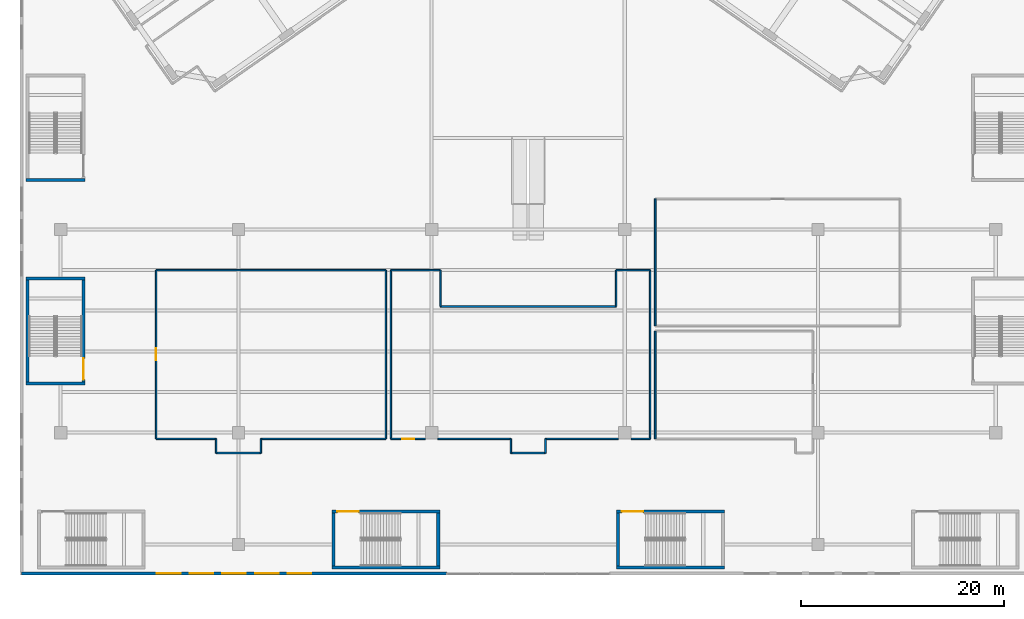
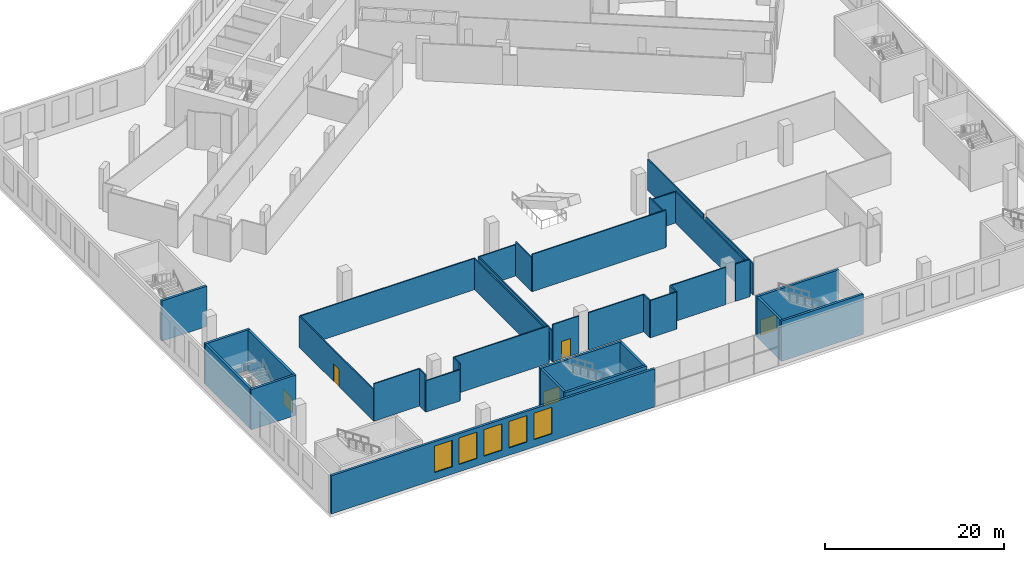
# One storey, part 5 of 26: 37 walls, 5 doors, 5 windows, 10 openings.
"""IFC4 building model written with IfcOpenShell, lengths in metres."""

import ifcopenshell
import ifcopenshell.guid

model = None  # the IFC model being written
_history = None  # IfcOwnerHistory: only IFC2X3 demands one
_inside = {}  # id of a spatial element -> (the spatial element, [elements in it])
_under = {}  # id of a project, library or spatial element -> (it, [spatial elements below it])
_declared = {}  # id of a project -> (the project, [libraries it declares])
_typed = {}  # id of a type object -> (the type object, [elements of that type])
_made_of = {}  # id of a material, layer set ... -> (it, [elements and type objects made of it])


def new_model(schema):
    """Start an empty IFC model of exactly this schema.

    Asked for "IFC4X3", IfcOpenShell would pick the latest addendum, in which some entities
    have other attributes; the version numbers below select the first issue.
    IFC2X3 requires an IfcOwnerHistory on every rooted entity: one is made here for all.
    """
    global model, _history
    if schema == "IFC4X3":
        model = ifcopenshell.file(schema_version=(4, 3, 0, 0))
    else:
        model = ifcopenshell.file(schema=schema)
    _inside.clear()
    _under.clear()
    _declared.clear()
    _typed.clear()
    _made_of.clear()
    _history = None
    if model.schema == "IFC2X3":
        org = make("IfcOrganization", Name="unknown")
        user = make(
            "IfcPersonAndOrganization",
            ThePerson=make("IfcPerson", FamilyName="unknown"),
            TheOrganization=org,
        )
        app = make(
            "IfcApplication",
            ApplicationDeveloper=org,
            Version="unknown",
            ApplicationFullName="unknown",
            ApplicationIdentifier="unknown",
        )
        _history = make(
            "IfcOwnerHistory",
            OwningUser=user,
            OwningApplication=app,
            ChangeAction="ADDED",
            CreationDate=0,
        )
    return model


def make(cls, **values):
    """One entity of the class cls with the attributes given. An attribute that is None is left unset."""
    return model.create_entity(
        cls, **{name: value for name, value in values.items() if value is not None}
    )


def rooted(cls, **values):
    """An entity with a GlobalId (a new one), such as an element, a storey or a relation."""
    return make(cls, GlobalId=ifcopenshell.guid.new(), OwnerHistory=_history, **values)


def si_unit(unit_type, name, prefix=None):
    """IfcSIUnit, for example si_unit("LENGTHUNIT", "METRE", prefix="MILLI")."""
    return make("IfcSIUnit", UnitType=unit_type, Prefix=prefix, Name=name)


def assignment(units):
    """IfcUnitAssignment: the units of a project."""
    return None if units is None else make("IfcUnitAssignment", Units=units)


def point(xyz):
    """IfcCartesianPoint."""
    return None if xyz is None else make("IfcCartesianPoint", Coordinates=xyz)


def direction(xyz):
    """IfcDirection."""
    return None if xyz is None else make("IfcDirection", DirectionRatios=xyz)


def frame(location, z_axis=None, x_axis=None):
    """IfcAxis2Placement3D, a coordinate frame: its origin and axes. An axis left out is left unset."""
    return make(
        "IfcAxis2Placement3D",
        Location=point(location),
        Axis=direction(z_axis),
        RefDirection=direction(x_axis),
    )


def frame_2d(location, x_axis=None):
    """IfcAxis2Placement2D, a coordinate frame in the plane: its origin and x axis."""
    return make(
        "IfcAxis2Placement2D", Location=point(location), RefDirection=direction(x_axis)
    )


def origin():
    """The frame at (0, 0, 0) with its axes left unset."""
    return frame((0.0, 0.0, 0.0))


def place(relative_to, where):
    """IfcLocalPlacement: puts the frame where relative to a parent placement (None: the world)."""
    return make(
        "IfcLocalPlacement", PlacementRelTo=relative_to, RelativePlacement=where
    )


def context(
    kind, dimensions, precision=None, world=None, true_north=None, identifier=None
):
    """IfcGeometricRepresentationContext, for example the 3D "Model" context."""
    return make(
        "IfcGeometricRepresentationContext",
        ContextIdentifier=identifier,
        ContextType=kind,
        CoordinateSpaceDimension=dimensions,
        Precision=precision,
        WorldCoordinateSystem=world,
        TrueNorth=true_north,
    )


def subcontext(parent, identifier, kind, view, scale=None):
    """IfcGeometricRepresentationSubContext, for example "Body" below "Model"."""
    return make(
        "IfcGeometricRepresentationSubContext",
        ContextIdentifier=identifier,
        ContextType=kind,
        ParentContext=parent,
        TargetScale=scale,
        TargetView=view,
    )


def project(units=None, contexts=None):
    """IfcProject with its units and contexts."""
    return rooted(
        "IfcProject",
        Name="project",
        RepresentationContexts=contexts,
        UnitsInContext=assignment(units),
    )


def spatial(cls, under=None, at=None, **own):
    """A site, building, storey or space (cls), placed at a placement, below another one or the project."""
    s = rooted(cls, ObjectPlacement=at, **own)
    if under is not None:
        _under.setdefault(under.id(), (under, []))[1].append(s)
    return s


def profile(cls, at=None, kind="AREA", **sizes):
    """A parametric profile (cls). Its sizes go by their IFC names, for example OverallWidth=200.0."""
    return make(cls, ProfileType=kind, Position=at, **sizes)


def rectangle(**sizes):
    """IfcRectangleProfileDef."""
    return profile("IfcRectangleProfileDef", **sizes)


def extrude(swept, where, along, depth):
    """IfcExtrudedAreaSolid: the profile swept, set in the frame where, extruded along a direction by depth."""
    return make(
        "IfcExtrudedAreaSolid",
        SweptArea=swept,
        Position=where,
        ExtrudedDirection=direction(along),
        Depth=depth,
    )


def shape(context_of_items, identifier, shape_type, items):
    """IfcShapeRepresentation: the items that make up one representation, for example the "Body"."""
    return make(
        "IfcShapeRepresentation",
        ContextOfItems=context_of_items,
        RepresentationIdentifier=identifier,
        RepresentationType=shape_type,
        Items=items,
    )


def material(Name=None, Category=None):
    """IfcMaterial."""
    return make("IfcMaterial", Name=Name, Category=Category)


def layer(
    of_material, thickness, ventilated=None, Name=None, Category=None, Priority=None
):
    """IfcMaterialLayer: one layer of a wall or slab, of a material (None: an air gap)."""
    return make(
        "IfcMaterialLayer",
        Material=of_material,
        LayerThickness=thickness,
        IsVentilated=ventilated,
        Name=Name,
        Category=Category,
        Priority=Priority,
    )


def layer_set(layers, Name=None):
    """IfcMaterialLayerSet."""
    return make("IfcMaterialLayerSet", MaterialLayers=layers, LayerSetName=Name)


def made_of(thing, what):
    """Note that an element or type object is made of a material, layer set ...; save() writes the relation."""
    if what is not None:
        _made_of.setdefault(what.id(), (what, []))[1].append(thing)
    return thing


def type_object(cls, material=None, **own):
    """A type object (cls), such as IfcWallType, which elements share."""
    return made_of(rooted(cls, **own), material)


def element(
    cls,
    number,
    at=None,
    inside=None,
    cuts=None,
    type_object=None,
    material=None,
    context=None,
    identifier="Body",
    shape_type=None,
    held_by="IfcProductDefinitionShape",
    body=None,
    shapes=None,
    **own,
):
    """One element of the class cls, such as IfcWall. Its Tag is "e" and its number.

    at: its placement. inside: the storey or other place that contains it. cuts: it is an
    opening in that element (IfcRelVoidsElement). A single representation is given by context,
    identifier, shape_type and body (its items); several are given by shapes. held_by: the class
    of the entity that holds the representations. save() writes the other relations.
    """
    e = rooted(cls, Tag="e%d" % number, ObjectPlacement=at, **own)
    if body is not None:
        shapes = [shape(context, identifier, shape_type, body)]
    if shapes is not None:
        e.Representation = make(held_by, Representations=shapes)
    if inside is not None:
        _inside.setdefault(inside.id(), (inside, []))[1].append(e)
    if cuts is not None:
        rooted(
            "IfcRelVoidsElement", RelatingBuildingElement=cuts, RelatedOpeningElement=e
        )
    if type_object is not None:
        _typed.setdefault(type_object.id(), (type_object, []))[1].append(e)
    return made_of(e, material)


def fill(opening, filler):
    """IfcRelFillsElement: the door or window that sits in an opening."""
    return rooted(
        "IfcRelFillsElement",
        RelatingOpeningElement=opening,
        RelatedBuildingElement=filler,
    )


def aggregate(whole, parts):
    """IfcRelAggregates: a whole, such as a stair, and the parts it consists of."""
    return rooted("IfcRelAggregates", RelatingObject=whole, RelatedObjects=parts)


def save(model, path):
    """Write the relations noted so far, then the file.

    IfcRelAggregates (storeys below a building ...), IfcRelContainedInSpatialStructure (elements
    in a storey), IfcRelDefinesByType, IfcRelAssociatesMaterial and IfcRelDeclares: one each for
    every whole, place, type object, material and project.
    """
    for whole, parts in _under.values():
        aggregate(whole, parts)
    for where, things in _inside.values():
        rooted(
            "IfcRelContainedInSpatialStructure",
            RelatedElements=things,
            RelatingStructure=where,
        )
    for kind, things in _typed.values():
        rooted("IfcRelDefinesByType", RelatedObjects=things, RelatingType=kind)
    for what, things in _made_of.values():
        rooted("IfcRelAssociatesMaterial", RelatedObjects=things, RelatingMaterial=what)
    for by, libraries in _declared.values():
        rooted("IfcRelDeclares", RelatingContext=by, RelatedDefinitions=libraries)
    model.write(path)


model = new_model("IFC4")

# Units and contexts
model_context = context("Model", 3, precision=1e-05, world=origin(), true_north=direction((0.0, 1.0)))
body_context = subcontext(model_context, "Body", "Model", "MODEL_VIEW")
ifc_project = project(units=[si_unit("LENGTHUNIT", "METRE"), si_unit("AREAUNIT", "SQUARE_METRE"), si_unit("VOLUMEUNIT", "CUBIC_METRE"), si_unit("PLANEANGLEUNIT", "RADIAN"), si_unit("MASSUNIT", "GRAM", prefix="KILO")], contexts=[model_context])

# Site, building, storey
site_placement = place(None, origin())
site = spatial("IfcSite", under=ifc_project, at=site_placement, CompositionType="ELEMENT")
building_placement = place(site_placement, origin())
building = spatial("IfcBuilding", under=site, at=building_placement, Name="Tel Ilan Convention Tower", CompositionType="ELEMENT")
storey_placement = place(building_placement, frame((0.0, 0.0, 37.5)))
storey = spatial("IfcBuildingStorey", under=building, at=storey_placement, Name="L05", CompositionType="ELEMENT", Elevation=37.5)

# Walls
ifc_material_1 = material(Name="Plasterboard on Steel Studs", Category="steel")
ifc_layer_1 = layer(ifc_material_1, 0.14990234375)
ifc_layer_set_1 = layer_set([ifc_layer_1], Name="Fire-rated Partition 150 EI 60")
wall_type_1 = type_object("IfcWallType", Name="Fire-rated Partition 150 EI 60", PredefinedType="PARTITIONING", material=ifc_layer_set_1)
wall_1_placement = place(storey_placement, frame((-13.9990234375, -68.59912109375, 0.0), z_axis=(0.0, 0.0, 1.0), x_axis=(0.0, 1.0, 0.0)))
element("IfcWall", 1, at=wall_1_placement, inside=storey, type_object=wall_type_1, Name="Partition 027", PredefinedType="PARTITIONING", context=body_context, shape_type="SweptSolid", body=[
    extrude(rectangle(XDim=16.59912109375, YDim=0.14990234375, at=frame_2d((8.299560546875, 0.0))), origin(), (0.0, 0.0, 1.0), 4.280029296875),
])
wall_2_placement = place(storey_placement, frame((-14.0, -51.9990234375, 0.0), z_axis=(0.0, 0.0, 1.0), x_axis=(-1.0, 0.0, 0.0)))
element("IfcWall", 2, at=wall_2_placement, inside=storey, type_object=wall_type_1, Name="Partition 028", PredefinedType="PARTITIONING", context=body_context, shape_type="SweptSolid", body=[
    extrude(rectangle(XDim=22.59912109375, YDim=0.14990234375, at=frame_2d((11.299560546875, 0.0))), origin(), (0.0, 0.0, 1.0), 4.280029296875),
])
wall_3_placement = place(storey_placement, frame((12.0009765625, -68.59912109375, 0.0), z_axis=(0.0, 0.0, 1.0), x_axis=(0.0, 1.0, 0.0)))
element("IfcWall", 3, at=wall_3_placement, inside=storey, type_object=wall_type_1, Name="Partition 029", PredefinedType="PARTITIONING", context=body_context, shape_type="SweptSolid", body=[
    extrude(rectangle(XDim=16.59912109375, YDim=0.14990234375, at=frame_2d((8.299560546875, 0.0))), origin(), (0.0, 0.0, 1.0), 4.280029296875),
])
wall_4_placement = place(storey_placement, frame((12.0, -51.9990234375, 0.0), z_axis=(0.0, 0.0, 1.0), x_axis=(-1.0, 0.0, 0.0)))
element("IfcWall", 4, at=wall_4_placement, inside=storey, type_object=wall_type_1, Name="Partition 030", PredefinedType="PARTITIONING", context=body_context, shape_type="SweptSolid", body=[
    extrude(rectangle(XDim=3.34912109375, YDim=0.14990234375, at=frame_2d((1.674560546875, 0.0))), origin(), (0.0, 0.0, 1.0), 4.280029296875),
])
wall_5_placement = place(storey_placement, frame((-8.65087890625, -51.9990234375, 0.0), z_axis=(0.0, 0.0, 1.0), x_axis=(-1.0, 0.0, 0.0)))
element("IfcWall", 5, at=wall_5_placement, inside=storey, type_object=wall_type_1, Name="Partition 031", PredefinedType="PARTITIONING", context=body_context, shape_type="SweptSolid", body=[
    extrude(rectangle(XDim=4.84912109375, YDim=0.14990234375, at=frame_2d((2.424560546875, 0.0))), origin(), (0.0, 0.0, 1.0), 4.280029296875),
])
wall_6_placement = place(storey_placement, frame((-13.5009765625, -52.0, 0.0), z_axis=(0.0, 0.0, 1.0), x_axis=(0.0, -1.0, 0.0)))
element("IfcWall", 6, at=wall_6_placement, inside=storey, type_object=wall_type_1, Name="Partition 032", PredefinedType="PARTITIONING", context=body_context, shape_type="SweptSolid", body=[
    extrude(rectangle(XDim=16.59912109375, YDim=0.14990234375, at=frame_2d((8.299560546875, 0.0))), origin(), (0.0, 0.0, 1.0), 4.280029296875),
])
wall_7_placement = place(storey_placement, frame((12.4990234375, -58.0, 0.0), z_axis=(0.0, 0.0, 1.0), x_axis=(0.0, -1.0, 0.0)))
element("IfcWall", 7, at=wall_7_placement, inside=storey, type_object=wall_type_1, Name="Partition 037", PredefinedType="PARTITIONING", context=body_context, shape_type="SweptSolid", body=[
    extrude(rectangle(XDim=10.59912109375, YDim=0.14990234375, at=frame_2d((5.299560546875, 0.0))), origin(), (0.0, 0.0, 1.0), 4.280029296875),
])
wall_8_placement = place(storey_placement, frame((12.4990234375, -45.0, 0.0), z_axis=(0.0, 0.0, 1.0), x_axis=(0.0, -1.0, 0.0)))
element("IfcWall", 8, at=wall_8_placement, inside=storey, type_object=wall_type_1, Name="Partition 039", PredefinedType="PARTITIONING", context=body_context, shape_type="SweptSolid", body=[
    extrude(rectangle(XDim=12.5, YDim=0.14990234375, at=frame_2d((6.25, 0.0))), origin(), (0.0, 0.0, 1.0), 4.280029296875),
])
wall_9_placement = place(storey_placement, frame((-1.698974609375, -70.0009765625, 0.0), z_axis=(0.0, 0.0, 1.0), x_axis=(1.0, 0.0, 0.0)))
element("IfcWall", 9, at=wall_9_placement, inside=storey, type_object=wall_type_1, Name="Partition 046", PredefinedType="PARTITIONING", context=body_context, shape_type="SweptSolid", body=[
    extrude(rectangle(XDim=3.39794921875, YDim=0.14990234375, at=frame_2d((1.698974609375, 0.0))), origin(), (0.0, 0.0, 1.0), 5.10009765625),
])
wall_10_placement = place(storey_placement, frame((-30.698974609375, -70.0009765625, 0.0), z_axis=(0.0, 0.0, 1.0), x_axis=(1.0, 0.0, 0.0)))
element("IfcWall", 10, at=wall_10_placement, inside=storey, type_object=wall_type_1, Name="Partition 047", PredefinedType="PARTITIONING", context=body_context, shape_type="SweptSolid", body=[
    extrude(rectangle(XDim=4.39794921875, YDim=0.14990234375, at=frame_2d((2.198974609375, 0.0))), origin(), (0.0, 0.0, 1.0), 4.280029296875),
])

# Wall, opening, door
wall_11_placement = place(storey_placement, frame((-36.60009765625, -51.998291015625, 0.0), z_axis=(0.0, 0.0, 1.0), x_axis=(0.0, -1.0, 0.0)))
wall_11 = element("IfcWall", 11, at=wall_11_placement, inside=storey, type_object=wall_type_1, Name="Partition 050", PredefinedType="PARTITIONING", context=body_context, shape_type="SweptSolid", body=[
    extrude(rectangle(XDim=16.601806640625, YDim=0.14990234375, at=frame_2d((8.30078125, 0.0))), origin(), (0.0, 0.0, 1.0), 4.280029296875),
])
opening_1_placement = place(wall_11_placement, frame((7.700927734375, 0.0, 0.0)))
opening_1 = element("IfcOpeningElement", 12, at=opening_1_placement, cuts=wall_11, Name="Opening L05-007", PredefinedType="OPENING", context=body_context, shape_type="SweptSolid", body=[
    extrude(rectangle(XDim=1.199951171875, YDim=2.39990234375, at=frame_2d((0.60009765625, 1.199951171875))), frame((0.0, 0.0849609375, 0.0), z_axis=(0.0, -1.0, 0.0), x_axis=(1.0, 0.0, 0.0)), (0.0, 0.0, 1.0), 0.169921875),
])
ifc_material_2 = material(Name="Glazed Aluminium Door", Category="aluminium")
door_type_1 = type_object("IfcDoorType", Name="Glazed Lobby Door 1200x2400", OperationType="NOTDEFINED", PredefinedType="DOOR", material=ifc_material_2)
door_1_placement = place(opening_1_placement, origin())
door_1 = element("IfcDoor", 13, at=door_1_placement, inside=storey, type_object=door_type_1, Name="Door L05-007", OperationType="DOUBLE_DOOR_SINGLE_SWING", OverallHeight=2.39990234375, OverallWidth=1.199951171875, PredefinedType="DOOR", context=body_context, shape_type="SweptSolid", body=[
    extrude(rectangle(XDim=1.199951171875, YDim=2.39990234375, at=frame_2d((0.60009765625, 1.199951171875))), frame((0.0, 0.02490234375, 0.0), z_axis=(0.0, -1.0, 0.0), x_axis=(1.0, 0.0, 0.0)), (0.0, 0.0, 1.0), 0.050048828125),
])
fill(opening_1, door_1)

# Walls
wall_12_placement = place(storey_placement, frame((-36.60009765625, -68.60009765625, 0.0), z_axis=(0.0, 0.0, 1.0), x_axis=(1.0, 0.0, 0.0)))
element("IfcWall", 14, at=wall_12_placement, inside=storey, type_object=wall_type_1, Name="Partition 051", PredefinedType="PARTITIONING", context=body_context, shape_type="SweptSolid", body=[
    extrude(rectangle(XDim=5.900146484375, YDim=0.14990234375, at=frame_2d((2.9501953125, 0.0))), origin(), (0.0, 0.0, 1.0), 5.10009765625),
])
for number, where, z_axis, x_axis, name in (
    (15, (-30.699951171875, -68.60009765625, 0.0), (0.0, 0.0, 1.0), (0.0, -1.0, 0.0), "Partition 052"),
    (16, (-26.300048828125, -70.001708984375, 0.0), (0.0, 0.0, 1.0), (0.0, 1.0, 0.0), "Partition 053"),
):
    element("IfcWall", number, at=place(storey_placement, frame(where, z_axis=z_axis, x_axis=x_axis)), inside=storey, type_object=wall_type_1, Name=name, PredefinedType="PARTITIONING", context=body_context, shape_type="SweptSolid", body=[
        extrude(rectangle(XDim=1.401611328125, YDim=0.14990234375, at=frame_2d((0.70068359375, 0.0))), origin(), (0.0, 0.0, 1.0), 5.10009765625),
    ])
wall_13_placement = place(storey_placement, frame((-26.300048828125, -68.60009765625, 0.0), z_axis=(0.0, 0.0, 1.0), x_axis=(1.0, 0.0, 0.0)))
element("IfcWall", 17, at=wall_13_placement, inside=storey, type_object=wall_type_1, Name="Partition 054", PredefinedType="PARTITIONING", context=body_context, shape_type="SweptSolid", body=[
    extrude(rectangle(XDim=12.3017578125, YDim=0.14990234375, at=frame_2d((6.15087890625, 0.0))), origin(), (0.0, 0.0, 1.0), 5.10009765625),
])

# Wall, opening, door
wall_14_placement = place(storey_placement, frame((-13.501708984375, -68.60009765625, 0.0), z_axis=(0.0, 0.0, 1.0), x_axis=(1.0, 0.0, 0.0)))
wall_14 = element("IfcWall", 18, at=wall_14_placement, inside=storey, type_object=wall_type_1, Name="Partition 055", PredefinedType="PARTITIONING", context=body_context, shape_type="SweptSolid", body=[
    extrude(rectangle(XDim=3.381591796875, YDim=0.14990234375, at=frame_2d((1.69091796875, 0.0))), origin(), (0.0, 0.0, 1.0), 5.10009765625),
])
opening_2_placement = place(wall_14_placement, frame((1.0908203125, 0.0, 0.0)))
opening_2 = element("IfcOpeningElement", 19, at=opening_2_placement, cuts=wall_14, Name="Opening L05-008", PredefinedType="OPENING", context=body_context, shape_type="SweptSolid", body=[
    extrude(rectangle(XDim=1.199951171875, YDim=2.39990234375, at=frame_2d((0.60009765625, 1.199951171875))), frame((0.0, 0.0849609375, 0.0), z_axis=(0.0, -1.0, 0.0), x_axis=(1.0, 0.0, 0.0)), (0.0, 0.0, 1.0), 0.169921875),
])
door_2_placement = place(opening_2_placement, origin())
door_2 = element("IfcDoor", 20, at=door_2_placement, inside=storey, type_object=door_type_1, Name="Door L05-008", OperationType="DOUBLE_DOOR_SINGLE_SWING", OverallHeight=2.39990234375, OverallWidth=1.199951171875, PredefinedType="DOOR", context=body_context, shape_type="SweptSolid", body=[
    extrude(rectangle(XDim=1.199951171875, YDim=2.39990234375, at=frame_2d((0.60009765625, 1.199951171875))), frame((0.0, 0.02490234375, 0.0), z_axis=(0.0, -1.0, 0.0), x_axis=(1.0, 0.0, 0.0)), (0.0, 0.0, 1.0), 0.050048828125),
])
fill(opening_2, door_2)

# Walls
wall_15_placement = place(storey_placement, frame((-8.8798828125, -68.60009765625, 0.0), z_axis=(0.0, 0.0, 1.0), x_axis=(1.0, 0.0, 0.0)))
element("IfcWall", 21, at=wall_15_placement, inside=storey, type_object=wall_type_1, Name="Partition 056", PredefinedType="PARTITIONING", context=body_context, shape_type="SweptSolid", body=[
    extrude(rectangle(XDim=7.179931640625, YDim=0.14990234375, at=frame_2d((3.58984375, 0.0))), origin(), (0.0, 0.0, 1.0), 5.10009765625),
])
for number, where, z_axis, x_axis, name in (
    (22, (-1.699951171875, -68.60009765625, 0.0), (0.0, 0.0, 1.0), (0.0, -1.0, 0.0), "Partition 057"),
    (23, (1.699951171875, -70.001708984375, 0.0), (0.0, 0.0, 1.0), (0.0, 1.0, 0.0), "Partition 058"),
):
    element("IfcWall", number, at=place(storey_placement, frame(where, z_axis=z_axis, x_axis=x_axis)), inside=storey, type_object=wall_type_1, Name=name, PredefinedType="PARTITIONING", context=body_context, shape_type="SweptSolid", body=[
        extrude(rectangle(XDim=1.401611328125, YDim=0.14990234375, at=frame_2d((0.70068359375, 0.0))), origin(), (0.0, 0.0, 1.0), 5.10009765625),
    ])
wall_16_placement = place(storey_placement, frame((1.699951171875, -68.60009765625, 0.0), z_axis=(0.0, 0.0, 1.0), x_axis=(1.0, 0.0, 0.0)))
element("IfcWall", 24, at=wall_16_placement, inside=storey, type_object=wall_type_1, Name="Partition 059", PredefinedType="PARTITIONING", context=body_context, shape_type="SweptSolid", body=[
    extrude(rectangle(XDim=7.179931640625, YDim=0.14990234375, at=frame_2d((3.58984375, 0.0))), origin(), (0.0, 0.0, 1.0), 5.10009765625),
])
wall_17_placement = place(storey_placement, frame((10.1201171875, -68.60009765625, 0.0), z_axis=(0.0, 0.0, 1.0), x_axis=(1.0, 0.0, 0.0)))
element("IfcWall", 25, at=wall_17_placement, inside=storey, type_object=wall_type_1, Name="Partition 060", PredefinedType="PARTITIONING", context=body_context, shape_type="SweptSolid", body=[
    extrude(rectangle(XDim=1.881591796875, YDim=0.14990234375, at=frame_2d((0.94091796875, 0.0))), origin(), (0.0, 0.0, 1.0), 5.10009765625),
])
wall_18_placement = place(storey_placement, frame((8.64990234375, -55.5859375, 0.0), z_axis=(0.0, 0.0, 1.0), x_axis=(-1.0, 0.0, 0.0)))
element("IfcWall", 26, at=wall_18_placement, inside=storey, type_object=wall_type_1, Name="Partition 068", PredefinedType="PARTITIONING", context=body_context, shape_type="SweptSolid", body=[
    extrude(rectangle(XDim=17.2998046875, YDim=0.14990234375, at=frame_2d((8.64990234375, 0.0))), origin(), (0.0, 0.0, 1.0), 5.10009765625),
])
for number, where, z_axis, x_axis, name in (
    (27, (-8.64990234375, -55.5859375, 0.0), (0.0, 0.0, 1.0), (0.0, 1.0, 0.0), "Partition 069"),
    (28, (8.64990234375, -51.998291015625, 0.0), (0.0, 0.0, 1.0), (0.0, -1.0, 0.0), "Partition 070"),
):
    element("IfcWall", number, at=place(storey_placement, frame(where, z_axis=z_axis, x_axis=x_axis)), inside=storey, type_object=wall_type_1, Name=name, PredefinedType="PARTITIONING", context=body_context, shape_type="SweptSolid", body=[
        extrude(rectangle(XDim=3.587646484375, YDim=0.14990234375, at=frame_2d((1.7939453125, 0.0))), origin(), (0.0, 0.0, 1.0), 4.6298828125),
    ])

# Wall, openings, windows
ifc_material_3 = material(Name="Bronze aluminium cladding panel on insulated steel frame", Category="steel")
ifc_layer_2 = layer(ifc_material_3, 0.300048828125)
ifc_layer_set_2 = layer_set([ifc_layer_2], Name="PODIUM CLADDING WALL 300")
wall_type_2 = type_object("IfcWallType", Name="PODIUM CLADDING WALL 300", PredefinedType="SOLIDWALL", material=ifc_layer_set_2)
wall_19_placement = place(storey_placement, frame((-49.85009765625, -81.85009765625, 0.0), z_axis=(0.0, 0.0, 1.0), x_axis=(1.0, 0.0, 0.0)))
wall_19 = element("IfcWall", 29, at=wall_19_placement, inside=storey, type_object=wall_type_2, Name="Podium cladding wall", PredefinedType="SOLIDWALL", context=body_context, shape_type="SweptSolid", body=[
    extrude(rectangle(XDim=41.85009765625, YDim=0.300048828125, at=frame_2d((20.925048828125, 0.0))), origin(), (0.0, 0.0, 1.0), 5.219970703125),
])
opening_3_placement = place(wall_19_placement, frame((13.326904296875, 0.0, 1.0)))
opening_3 = element("IfcOpeningElement", 30, at=opening_3_placement, cuts=wall_19, Name="Opening W-08.001", PredefinedType="OPENING", context=body_context, shape_type="SweptSolid", body=[
    extrude(rectangle(XDim=2.3193359375, YDim=3.6201171875, at=frame_2d((1.15966796875, 1.81005859375))), frame((0.0, 0.159912109375, 0.0), z_axis=(0.0, -1.0, 0.0), x_axis=(1.0, 0.0, 0.0)), (0.0, 0.0, 1.0), 0.320068359375),
])
opening_4_placement = place(wall_19_placement, frame((16.546142578125, 0.0, 1.0)))
opening_4 = element("IfcOpeningElement", 31, at=opening_4_placement, cuts=wall_19, Name="Opening W-08.002", PredefinedType="OPENING", context=body_context, shape_type="SweptSolid", body=[
    extrude(rectangle(XDim=2.3193359375, YDim=3.6201171875, at=frame_2d((1.15966796875, 1.81005859375))), frame((0.0, 0.159912109375, 0.0), z_axis=(0.0, -1.0, 0.0), x_axis=(1.0, 0.0, 0.0)), (0.0, 0.0, 1.0), 0.320068359375),
])
opening_5_placement = place(wall_19_placement, frame((19.765380859375, 0.0, 1.0)))
opening_5 = element("IfcOpeningElement", 32, at=opening_5_placement, cuts=wall_19, Name="Opening W-08.003", PredefinedType="OPENING", context=body_context, shape_type="SweptSolid", body=[
    extrude(rectangle(XDim=2.3193359375, YDim=3.6201171875, at=frame_2d((1.15966796875, 1.81005859375))), frame((0.0, 0.159912109375, 0.0), z_axis=(0.0, -1.0, 0.0), x_axis=(1.0, 0.0, 0.0)), (0.0, 0.0, 1.0), 0.320068359375),
])
opening_6_placement = place(wall_19_placement, frame((22.984619140625, 0.0, 1.0)))
opening_6 = element("IfcOpeningElement", 33, at=opening_6_placement, cuts=wall_19, Name="Opening W-08.004", PredefinedType="OPENING", context=body_context, shape_type="SweptSolid", body=[
    extrude(rectangle(XDim=2.3193359375, YDim=3.6201171875, at=frame_2d((1.15966796875, 1.81005859375))), frame((0.0, 0.159912109375, 0.0), z_axis=(0.0, -1.0, 0.0), x_axis=(1.0, 0.0, 0.0)), (0.0, 0.0, 1.0), 0.320068359375),
])
opening_7_placement = place(wall_19_placement, frame((26.203857421875, 0.0, 1.0)))
opening_7 = element("IfcOpeningElement", 34, at=opening_7_placement, cuts=wall_19, Name="Opening W-08.005", PredefinedType="OPENING", context=body_context, shape_type="SweptSolid", body=[
    extrude(rectangle(XDim=2.3193359375, YDim=3.6201171875, at=frame_2d((1.15966796875, 1.81005859375))), frame((0.0, 0.159912109375, 0.0), z_axis=(0.0, -1.0, 0.0), x_axis=(1.0, 0.0, 0.0)), (0.0, 0.0, 1.0), 0.320068359375),
])
ifc_material_4 = material(Name="Aluminium framed glazing, bronze anodised, tinted glass", Category="aluminium")
window_type = type_object("IfcWindowType", Name="PODIUM WINDOW 2319x3620", PartitioningType="SINGLE_PANEL", PredefinedType="WINDOW", material=ifc_material_4)
window_1_placement = place(opening_3_placement, origin())
window_1 = element("IfcWindow", 35, at=window_1_placement, inside=storey, type_object=window_type, Name="Podium window", OverallHeight=3.6201171875, OverallWidth=2.3193359375, PartitioningType="SINGLE_PANEL", PredefinedType="WINDOW", context=body_context, shape_type="SweptSolid", body=[
    extrude(rectangle(XDim=2.3193359375, YDim=3.6201171875, at=frame_2d((1.15966796875, 1.81005859375))), frame((0.0, 0.030029296875, 0.0), z_axis=(0.0, -1.0, 0.0), x_axis=(1.0, 0.0, 0.0)), (0.0, 0.0, 1.0), 0.06005859375),
])
fill(opening_3, window_1)
window_2_placement = place(opening_4_placement, origin())
window_2 = element("IfcWindow", 36, at=window_2_placement, inside=storey, type_object=window_type, Name="Podium window", OverallHeight=3.6201171875, OverallWidth=2.3193359375, PartitioningType="SINGLE_PANEL", PredefinedType="WINDOW", context=body_context, shape_type="SweptSolid", body=[
    extrude(rectangle(XDim=2.3193359375, YDim=3.6201171875, at=frame_2d((1.15966796875, 1.81005859375))), frame((0.0, 0.030029296875, 0.0), z_axis=(0.0, -1.0, 0.0), x_axis=(1.0, 0.0, 0.0)), (0.0, 0.0, 1.0), 0.06005859375),
])
fill(opening_4, window_2)
window_3_placement = place(opening_5_placement, origin())
window_3 = element("IfcWindow", 37, at=window_3_placement, inside=storey, type_object=window_type, Name="Podium window", OverallHeight=3.6201171875, OverallWidth=2.3193359375, PartitioningType="SINGLE_PANEL", PredefinedType="WINDOW", context=body_context, shape_type="SweptSolid", body=[
    extrude(rectangle(XDim=2.3193359375, YDim=3.6201171875, at=frame_2d((1.15966796875, 1.81005859375))), frame((0.0, 0.030029296875, 0.0), z_axis=(0.0, -1.0, 0.0), x_axis=(1.0, 0.0, 0.0)), (0.0, 0.0, 1.0), 0.06005859375),
])
fill(opening_5, window_3)
window_4_placement = place(opening_6_placement, origin())
window_4 = element("IfcWindow", 38, at=window_4_placement, inside=storey, type_object=window_type, Name="Podium window", OverallHeight=3.6201171875, OverallWidth=2.3193359375, PartitioningType="SINGLE_PANEL", PredefinedType="WINDOW", context=body_context, shape_type="SweptSolid", body=[
    extrude(rectangle(XDim=2.3193359375, YDim=3.6201171875, at=frame_2d((1.15966796875, 1.81005859375))), frame((0.0, 0.030029296875, 0.0), z_axis=(0.0, -1.0, 0.0), x_axis=(1.0, 0.0, 0.0)), (0.0, 0.0, 1.0), 0.06005859375),
])
fill(opening_6, window_4)
window_5_placement = place(opening_7_placement, origin())
window_5 = element("IfcWindow", 39, at=window_5_placement, inside=storey, type_object=window_type, Name="Podium window", OverallHeight=3.6201171875, OverallWidth=2.3193359375, PartitioningType="SINGLE_PANEL", PredefinedType="WINDOW", context=body_context, shape_type="SweptSolid", body=[
    extrude(rectangle(XDim=2.3193359375, YDim=3.6201171875, at=frame_2d((1.15966796875, 1.81005859375))), frame((0.0, 0.030029296875, 0.0), z_axis=(0.0, -1.0, 0.0), x_axis=(1.0, 0.0, 0.0)), (0.0, 0.0, 1.0), 0.06005859375),
])
fill(opening_7, window_5)

# Wall
ifc_material_5 = material(Name="Concrete C40/50", Category="concrete")
ifc_layer_3 = layer(ifc_material_5, 0.300048828125)
ifc_layer_set_3 = layer_set([ifc_layer_3], Name="Stair Enclosure Wall 300 mm C40/50")
wall_type_3 = type_object("IfcWallType", Name="Stair Enclosure Wall 300 mm C40/50", PredefinedType="SOLIDWALL", material=ifc_layer_set_3)
wall_20_placement = place(storey_placement, frame((-19.300048828125, -81.25, 0.0), z_axis=(0.0, 0.0, 1.0), x_axis=(1.0, 0.0, 0.0)))
element("IfcWall", 40, at=wall_20_placement, inside=storey, type_object=wall_type_3, Name="P2 stair enclosure wall S L05", PredefinedType="SOLIDWALL", context=body_context, shape_type="SweptSolid", body=[
    extrude(rectangle(XDim=10.60009765625, YDim=0.300048828125, at=frame_2d((5.300048828125, 0.0))), origin(), (0.0, 0.0, 1.0), 5.5),
])

# Wall, opening, door
wall_21_placement = place(storey_placement, frame((-19.300048828125, -75.75, 0.0), z_axis=(0.0, 0.0, 1.0), x_axis=(1.0, 0.0, 0.0)))
wall_21 = element("IfcWall", 41, at=wall_21_placement, inside=storey, type_object=wall_type_3, Name="P2 stair enclosure wall N L05", PredefinedType="SOLIDWALL", context=body_context, shape_type="SweptSolid", body=[
    extrude(rectangle(XDim=10.60009765625, YDim=0.300048828125, at=frame_2d((5.300048828125, 0.0))), origin(), (0.0, 0.0, 1.0), 5.5),
])
opening_8_placement = place(wall_21_placement, frame((0.512451171875, 0.0, 0.0)))
opening_8 = element("IfcOpeningElement", 42, at=opening_8_placement, cuts=wall_21, Name="Opening PD208", PredefinedType="OPENING", context=body_context, shape_type="SweptSolid", body=[
    extrude(rectangle(XDim=2.10009765625, YDim=2.10009765625, at=frame_2d((1.050048828125, 1.050048828125))), frame((0.0, 0.159912109375, 0.0), z_axis=(0.0, -1.0, 0.0), x_axis=(1.0, 0.0, 0.0)), (0.0, 0.0, 1.0), 0.320068359375),
])
ifc_material_6 = material(Name="Galvanised Steel Door Leaf", Category="steel")
door_type_2 = type_object("IfcDoorType", Name="Stair Fire Door 2100 x 2100 FD60S", OperationType="NOTDEFINED", PredefinedType="DOOR", material=ifc_material_6)
door_3_placement = place(opening_8_placement, origin())
door_3 = element("IfcDoor", 43, at=door_3_placement, inside=storey, type_object=door_type_2, Name="Stair P2 floor door", OperationType="DOUBLE_DOOR_SINGLE_SWING", OverallHeight=2.10009765625, OverallWidth=2.10009765625, PredefinedType="DOOR", context=body_context, shape_type="SweptSolid", body=[
    extrude(rectangle(XDim=2.10009765625, YDim=2.10009765625, at=frame_2d((1.050048828125, 1.050048828125))), frame((0.0, 0.02490234375, 0.0), z_axis=(0.0, -1.0, 0.0), x_axis=(1.0, 0.0, 0.0)), (0.0, 0.0, 1.0), 0.050048828125),
])
fill(opening_8, door_3)

# Walls
for number, where, z_axis, x_axis, name in (
    (44, (-19.14990234375, -81.10009765625, 0.0), (0.0, 0.0, 1.0), (0.0, 1.0, 0.0), "P2 stair enclosure wall W L05"),
    (45, (-8.85009765625, -81.10009765625, 0.0), (0.0, 0.0, 1.0), (0.0, 1.0, 0.0), "P2 stair enclosure wall E L05"),
):
    element("IfcWall", number, at=place(storey_placement, frame(where, z_axis=z_axis, x_axis=x_axis)), inside=storey, type_object=wall_type_3, Name=name, PredefinedType="SOLIDWALL", context=body_context, shape_type="SweptSolid", body=[
        extrude(rectangle(XDim=5.2001953125, YDim=0.300048828125, at=frame_2d((2.60009765625, 0.0))), origin(), (0.0, 0.0, 1.0), 5.5),
    ])
wall_22_placement = place(storey_placement, frame((8.699951171875, -81.25, 0.0), z_axis=(0.0, 0.0, 1.0), x_axis=(1.0, 0.0, 0.0)))
element("IfcWall", 46, at=wall_22_placement, inside=storey, type_object=wall_type_3, Name="P3 stair enclosure wall S L05", PredefinedType="SOLIDWALL", context=body_context, shape_type="SweptSolid", body=[
    extrude(rectangle(XDim=10.60009765625, YDim=0.300048828125, at=frame_2d((5.300048828125, 0.0))), origin(), (0.0, 0.0, 1.0), 5.5),
])

# Wall, opening, door
wall_23_placement = place(storey_placement, frame((8.699951171875, -75.75, 0.0), z_axis=(0.0, 0.0, 1.0), x_axis=(1.0, 0.0, 0.0)))
wall_23 = element("IfcWall", 47, at=wall_23_placement, inside=storey, type_object=wall_type_3, Name="P3 stair enclosure wall N L05", PredefinedType="SOLIDWALL", context=body_context, shape_type="SweptSolid", body=[
    extrude(rectangle(XDim=10.60009765625, YDim=0.300048828125, at=frame_2d((5.300048828125, 0.0))), origin(), (0.0, 0.0, 1.0), 5.5),
])
opening_9_placement = place(wall_23_placement, frame((0.512451171875, 0.0, 0.0)))
opening_9 = element("IfcOpeningElement", 48, at=opening_9_placement, cuts=wall_23, Name="Opening PD308", PredefinedType="OPENING", context=body_context, shape_type="SweptSolid", body=[
    extrude(rectangle(XDim=2.10009765625, YDim=2.10009765625, at=frame_2d((1.050048828125, 1.050048828125))), frame((0.0, 0.159912109375, 0.0), z_axis=(0.0, -1.0, 0.0), x_axis=(1.0, 0.0, 0.0)), (0.0, 0.0, 1.0), 0.320068359375),
])
door_4_placement = place(opening_9_placement, origin())
door_4 = element("IfcDoor", 49, at=door_4_placement, inside=storey, type_object=door_type_2, Name="Stair P3 floor door", OperationType="DOUBLE_DOOR_SINGLE_SWING", OverallHeight=2.10009765625, OverallWidth=2.10009765625, PredefinedType="DOOR", context=body_context, shape_type="SweptSolid", body=[
    extrude(rectangle(XDim=2.10009765625, YDim=2.10009765625, at=frame_2d((1.050048828125, 1.050048828125))), frame((0.0, 0.02490234375, 0.0), z_axis=(0.0, -1.0, 0.0), x_axis=(1.0, 0.0, 0.0)), (0.0, 0.0, 1.0), 0.050048828125),
])
fill(opening_9, door_4)

# Walls
wall_24_placement = place(storey_placement, frame((8.85009765625, -81.10009765625, 0.0), z_axis=(0.0, 0.0, 1.0), x_axis=(0.0, 1.0, 0.0)))
element("IfcWall", 50, at=wall_24_placement, inside=storey, type_object=wall_type_3, Name="P3 stair enclosure wall W L05", PredefinedType="SOLIDWALL", context=body_context, shape_type="SweptSolid", body=[
    extrude(rectangle(XDim=5.2001953125, YDim=0.300048828125, at=frame_2d((2.60009765625, 0.0))), origin(), (0.0, 0.0, 1.0), 5.5),
])
for number, where, z_axis, x_axis, name in (
    (51, (-49.39990234375, -63.14990234375, 0.0), (0.0, 0.0, 1.0), (1.0, 0.0, 0.0), "P5 stair enclosure wall S L05"),
    (52, (-49.39990234375, -52.85009765625, 0.0), (0.0, 0.0, 1.0), (1.0, 0.0, 0.0), "P5 stair enclosure wall N L05"),
):
    element("IfcWall", number, at=place(storey_placement, frame(where, z_axis=z_axis, x_axis=x_axis)), inside=storey, type_object=wall_type_3, Name=name, PredefinedType="SOLIDWALL", context=body_context, shape_type="SweptSolid", body=[
        extrude(rectangle(XDim=5.7998046875, YDim=0.300048828125, at=frame_2d((2.89990234375, 0.0))), origin(), (0.0, 0.0, 1.0), 5.5),
    ])
wall_25_placement = place(storey_placement, frame((-49.25, -63.0, 0.0), z_axis=(0.0, 0.0, 1.0), x_axis=(0.0, 1.0, 0.0)))
element("IfcWall", 53, at=wall_25_placement, inside=storey, type_object=wall_type_3, Name="P5 stair enclosure wall W L05", PredefinedType="SOLIDWALL", context=body_context, shape_type="SweptSolid", body=[
    extrude(rectangle(XDim=10.0, YDim=0.300048828125, at=frame_2d((5.0, 0.0))), origin(), (0.0, 0.0, 1.0), 5.5),
])

# Wall, opening, door
wall_26_placement = place(storey_placement, frame((-43.75, -63.0, 0.0), z_axis=(0.0, 0.0, 1.0), x_axis=(0.0, 1.0, 0.0)))
wall_26 = element("IfcWall", 54, at=wall_26_placement, inside=storey, type_object=wall_type_3, Name="P5 stair enclosure wall E L05", PredefinedType="SOLIDWALL", context=body_context, shape_type="SweptSolid", body=[
    extrude(rectangle(XDim=10.0, YDim=0.300048828125, at=frame_2d((5.0, 0.0))), origin(), (0.0, 0.0, 1.0), 5.5),
])
opening_10_placement = place(wall_26_placement, frame((0.21240234375, 0.0, 0.0)))
opening_10 = element("IfcOpeningElement", 55, at=opening_10_placement, cuts=wall_26, Name="Opening PD508", PredefinedType="OPENING", context=body_context, shape_type="SweptSolid", body=[
    extrude(rectangle(XDim=2.10009765625, YDim=2.10009765625, at=frame_2d((1.050048828125, 1.050048828125))), frame((0.0, 0.159912109375, 0.0), z_axis=(0.0, -1.0, 0.0), x_axis=(1.0, 0.0, 0.0)), (0.0, 0.0, 1.0), 0.320068359375),
])
door_5_placement = place(opening_10_placement, origin())
door_5 = element("IfcDoor", 56, at=door_5_placement, inside=storey, type_object=door_type_2, Name="Stair P5 floor door", OperationType="DOUBLE_DOOR_SINGLE_SWING", OverallHeight=2.10009765625, OverallWidth=2.10009765625, PredefinedType="DOOR", context=body_context, shape_type="SweptSolid", body=[
    extrude(rectangle(XDim=2.10009765625, YDim=2.10009765625, at=frame_2d((1.050048828125, 1.050048828125))), frame((0.0, 0.02490234375, 0.0), z_axis=(0.0, -1.0, 0.0), x_axis=(1.0, 0.0, 0.0)), (0.0, 0.0, 1.0), 0.050048828125),
])
fill(opening_10, door_5)

# Wall
wall_27_placement = place(storey_placement, frame((-49.39990234375, -43.14990234375, 0.0), z_axis=(0.0, 0.0, 1.0), x_axis=(1.0, 0.0, 0.0)))
element("IfcWall", 57, at=wall_27_placement, inside=storey, type_object=wall_type_3, Name="P7 stair enclosure wall S L05", PredefinedType="SOLIDWALL", context=body_context, shape_type="SweptSolid", body=[
    extrude(rectangle(XDim=5.7998046875, YDim=0.300048828125, at=frame_2d((2.89990234375, 0.0))), origin(), (0.0, 0.0, 1.0), 5.5),
])

save(model, "model.ifc")
